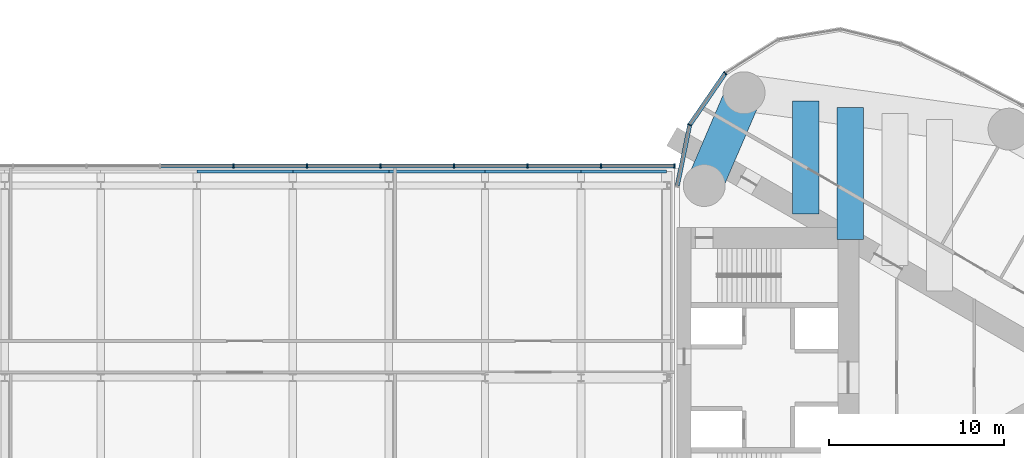
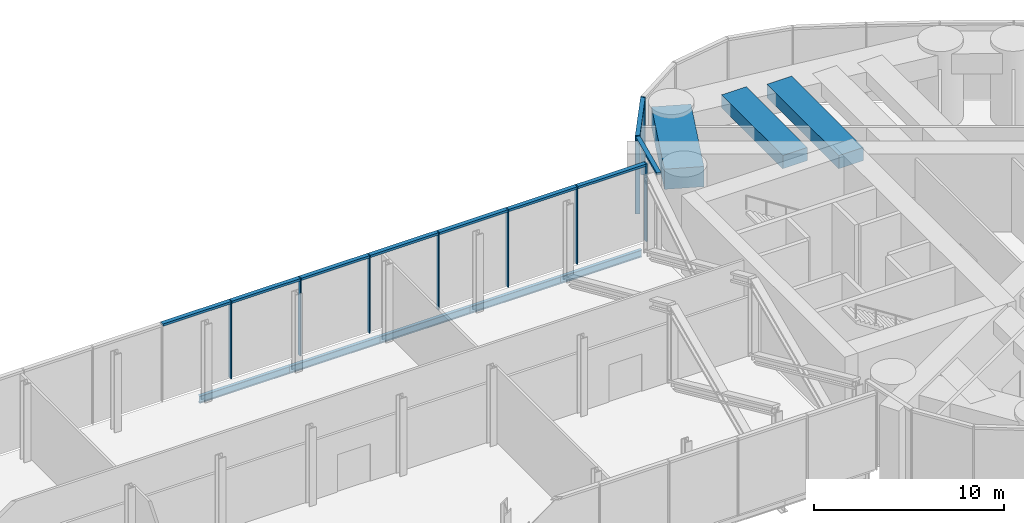
# One storey, part 11 of 19: 18 members, 8 beams, 2 elements without a shape of their own.
"""IFC4 building model written with IfcOpenShell, lengths in metres."""

from ifc_helpers import new_model, si_unit, direction, frame, origin, origin_2d, place, context, subcontext, project, spatial, rectangle, i_section, extrude, material, material_profile, profile_set, type_object, element, aggregate, save


model = new_model("IFC4")

# Units and contexts
model_context = context("Model", 3, precision=1e-05, world=origin(), true_north=direction((0.0, 1.0)))
body_context = subcontext(model_context, "Body", "Model", "MODEL_VIEW")
ifc_project = project(units=[si_unit("LENGTHUNIT", "METRE"), si_unit("AREAUNIT", "SQUARE_METRE"), si_unit("VOLUMEUNIT", "CUBIC_METRE"), si_unit("PLANEANGLEUNIT", "RADIAN"), si_unit("MASSUNIT", "GRAM", prefix="KILO")], contexts=[model_context])

# Site, building, storey
site_placement = place(None, origin())
site = spatial("IfcSite", under=ifc_project, at=site_placement, CompositionType="ELEMENT")
building_placement = place(site_placement, origin())
building = spatial("IfcBuilding", under=site, at=building_placement, Name="Lancet Gate Hotel", CompositionType="ELEMENT")
storey_placement = place(building_placement, frame((0.0, 0.0, 263.300048828125)))
storey = spatial("IfcBuildingStorey", under=building, at=storey_placement, Name="L69", CompositionType="ELEMENT", Elevation=263.300048828125)

# Curtain wall, members
ifc_material_1 = material(Name="Aluminium curtain wall", Category="aluminium")
curtain_wall_type = type_object("IfcCurtainWallType", Name="Lantern crown glazing", PredefinedType="USERDEFINED", material=ifc_material_1)
curtain_wall_1_placement = place(storey_placement, origin())
curtain_wall_1 = element("IfcCurtainWall", 1, at=curtain_wall_1_placement, inside=storey, type_object=curtain_wall_type, Name="T2 L69 curtain wall 1", ObjectType="LANTERN GLAZING", PredefinedType="USERDEFINED")
ifc_material_2 = material(Name="Aluminium mullion", Category="aluminium")
ifc_material_profile_1 = material_profile(ifc_material_2, rectangle(XDim=0.06494140625, YDim=0.25, at=origin_2d()), Name="MULLION 65x250")
ifc_profile_set_1 = profile_set([ifc_material_profile_1], Name="Aluminium mullion")
member_type_1 = type_object("IfcMemberType", Name="Aluminium mullion 65x250", PredefinedType="MULLION", material=ifc_profile_set_1)
member_1_placement = place(storey_placement, frame((30.25244140625, 17.42626953125, 0.0), z_axis=(0.0, 0.0, 1.0), x_axis=(-0.719809077627, -0.694172090886, 0.0)))
member_1 = element("IfcMember", 2, at=member_1_placement, type_object=member_type_1, Name="T2 L69 curtain wall 1 mullion 25", PredefinedType="MULLION", context=body_context, shape_type="SweptSolid", body=[
    extrude(rectangle(XDim=0.06494140625, YDim=0.25, at=origin_2d()), origin(), (0.0, 0.0, 1.0), 5.0),
])
member_2_placement = place(storey_placement, frame((28.216552734375, 14.467529296875, 0.0), z_axis=(0.0, 0.0, 1.0), x_axis=(-0.391042139098, -0.920372775265, 0.0)))
member_2 = element("IfcMember", 3, at=member_2_placement, type_object=member_type_1, Name="T2 L69 curtain wall 1 mullion 26", PredefinedType="MULLION", context=body_context, shape_type="SweptSolid", body=[
    extrude(rectangle(XDim=0.06494140625, YDim=0.25, at=origin_2d()), origin(), (0.0, 0.0, 1.0), 5.0),
])

curtain_wall_2_placement = place(storey_placement, origin())
curtain_wall_2 = element("IfcCurtainWall", 4, at=curtain_wall_2_placement, inside=storey, type_object=curtain_wall_type, Name="Bridge block L69 curtain wall N", ObjectType="LANTERN GLAZING", PredefinedType="USERDEFINED")
member_3_placement = place(storey_placement, frame((27.35009765625, 12.1201171875, 0.0), z_axis=(0.0, 0.0, 1.0), x_axis=(-1.0, 0.0, 0.0)))
member_3 = element("IfcMember", 5, at=member_3_placement, type_object=member_type_1, Name="Bridge block L69 curtain wall N mullion 1", PredefinedType="MULLION", context=body_context, shape_type="SweptSolid", body=[
    extrude(rectangle(XDim=0.06494140625, YDim=0.25, at=origin_2d()), origin(), (0.0, 0.0, 1.0), 5.0),
])
member_4_placement = place(storey_placement, frame((23.142333984375, 12.1201171875, 0.0), z_axis=(0.0, 0.0, 1.0), x_axis=(-1.0, 0.0, 0.0)))
member_4 = element("IfcMember", 6, at=member_4_placement, type_object=member_type_1, Name="Bridge block L69 curtain wall N mullion 2", PredefinedType="MULLION", context=body_context, shape_type="SweptSolid", body=[
    extrude(rectangle(XDim=0.06494140625, YDim=0.25, at=origin_2d()), origin(), (0.0, 0.0, 1.0), 5.0),
])
member_5_placement = place(storey_placement, frame((18.9345703125, 12.1201171875, 0.0), z_axis=(0.0, 0.0, 1.0), x_axis=(-1.0, 0.0, 0.0)))
member_5 = element("IfcMember", 7, at=member_5_placement, type_object=member_type_1, Name="Bridge block L69 curtain wall N mullion 3", PredefinedType="MULLION", context=body_context, shape_type="SweptSolid", body=[
    extrude(rectangle(XDim=0.06494140625, YDim=0.25, at=origin_2d()), origin(), (0.0, 0.0, 1.0), 5.0),
])
member_6_placement = place(storey_placement, frame((14.726806640625, 12.1201171875, 0.0), z_axis=(0.0, 0.0, 1.0), x_axis=(-1.0, 0.0, 0.0)))
member_6 = element("IfcMember", 8, at=member_6_placement, type_object=member_type_1, Name="Bridge block L69 curtain wall N mullion 4", PredefinedType="MULLION", context=body_context, shape_type="SweptSolid", body=[
    extrude(rectangle(XDim=0.06494140625, YDim=0.25, at=origin_2d()), origin(), (0.0, 0.0, 1.0), 5.0),
])
member_7_placement = place(storey_placement, frame((10.519287109375, 12.1201171875, 0.0), z_axis=(0.0, 0.0, 1.0), x_axis=(-1.0, 0.0, 0.0)))
member_7 = element("IfcMember", 9, at=member_7_placement, type_object=member_type_1, Name="Bridge block L69 curtain wall N mullion 5", PredefinedType="MULLION", context=body_context, shape_type="SweptSolid", body=[
    extrude(rectangle(XDim=0.06494140625, YDim=0.25, at=origin_2d()), origin(), (0.0, 0.0, 1.0), 5.0),
])
member_8_placement = place(storey_placement, frame((6.3115234375, 12.1201171875, 0.0), z_axis=(0.0, 0.0, 1.0), x_axis=(-1.0, 0.0, 0.0)))
member_8 = element("IfcMember", 10, at=member_8_placement, type_object=member_type_1, Name="Bridge block L69 curtain wall N mullion 6", PredefinedType="MULLION", context=body_context, shape_type="SweptSolid", body=[
    extrude(rectangle(XDim=0.06494140625, YDim=0.25, at=origin_2d()), origin(), (0.0, 0.0, 1.0), 5.0),
])
member_9_placement = place(storey_placement, frame((2.103759765625, 12.1201171875, 0.0), z_axis=(0.0, 0.0, 1.0), x_axis=(-1.0, 0.0, 0.0)))
member_9 = element("IfcMember", 11, at=member_9_placement, type_object=member_type_1, Name="Bridge block L69 curtain wall N mullion 7", PredefinedType="MULLION", context=body_context, shape_type="SweptSolid", body=[
    extrude(rectangle(XDim=0.06494140625, YDim=0.25, at=origin_2d()), origin(), (0.0, 0.0, 1.0), 5.0),
])

# Member
ifc_material_3 = material(Name="Aluminium transom", Category="aluminium")
ifc_material_profile_2 = material_profile(ifc_material_3, rectangle(XDim=0.25, YDim=0.14990234375, at=origin_2d()), Name="TRANSOM 250x150")
ifc_profile_set_2 = profile_set([ifc_material_profile_2], Name="Aluminium transom")
member_type_2 = type_object("IfcMemberType", Name="Aluminium transom 250x150", PredefinedType="USERDEFINED", material=ifc_profile_set_2)
member_10_placement = place(storey_placement, frame((30.234130859375, 17.399658203125, 4.925048828125), z_axis=(-0.566813768052, -0.82384595183, 0.0), x_axis=(0.82384595183, -0.566813768052, 0.0)))
member_10 = element("IfcMember", 12, at=member_10_placement, type_object=member_type_2, Name="T2 L69 curtain wall 1 transom 25", ObjectType="TRANSOM", PredefinedType="USERDEFINED", context=body_context, shape_type="SweptSolid", body=[
    extrude(rectangle(XDim=0.25, YDim=0.14990234375, at=origin_2d()), origin(), (0.0, 0.0, 1.0), 3.52685546875),
])

member_11_placement = place(storey_placement, frame((28.210205078125, 14.435546875, 4.925048828125), z_axis=(-0.19952323725, -0.979893095086, 0.0), x_axis=(0.979893095086, -0.19952323725, 0.0)))
member_11 = element("IfcMember", 13, at=member_11_placement, type_object=member_type_2, Name="T2 L69 curtain wall 1 transom 26", ObjectType="TRANSOM", PredefinedType="USERDEFINED", context=body_context, shape_type="SweptSolid", body=[
    extrude(rectangle(XDim=0.25, YDim=0.14990234375, at=origin_2d()), origin(), (0.0, 0.0, 1.0), 3.5263671875),
])

aggregate(curtain_wall_1, [member_1, member_2, member_10, member_11])

member_12_placement = place(storey_placement, frame((27.3173828125, 12.1201171875, 4.925048828125), z_axis=(-1.0, 0.0, 0.0), x_axis=(0.0, -1.0, 0.0)))
member_12 = element("IfcMember", 14, at=member_12_placement, type_object=member_type_2, Name="Bridge block L69 curtain wall N transom 1", ObjectType="TRANSOM", PredefinedType="USERDEFINED", context=body_context, shape_type="SweptSolid", body=[
    extrude(rectangle(XDim=0.25, YDim=0.14990234375, at=origin_2d()), origin(), (0.0, 0.0, 1.0), 4.142578125),
])

member_13_placement = place(storey_placement, frame((23.10986328125, 12.1201171875, 4.925048828125), z_axis=(-1.0, 0.0, 0.0), x_axis=(0.0, -1.0, 0.0)))
member_13 = element("IfcMember", 15, at=member_13_placement, type_object=member_type_2, Name="Bridge block L69 curtain wall N transom 2", ObjectType="TRANSOM", PredefinedType="USERDEFINED", context=body_context, shape_type="SweptSolid", body=[
    extrude(rectangle(XDim=0.25, YDim=0.14990234375, at=origin_2d()), origin(), (0.0, 0.0, 1.0), 4.142822265625),
])

member_14_placement = place(storey_placement, frame((18.902099609375, 12.1201171875, 4.925048828125), z_axis=(-1.0, 0.0, 0.0), x_axis=(0.0, -1.0, 0.0)))
member_14 = element("IfcMember", 16, at=member_14_placement, type_object=member_type_2, Name="Bridge block L69 curtain wall N transom 3", ObjectType="TRANSOM", PredefinedType="USERDEFINED", context=body_context, shape_type="SweptSolid", body=[
    extrude(rectangle(XDim=0.25, YDim=0.14990234375, at=origin_2d()), origin(), (0.0, 0.0, 1.0), 4.142578125),
])

member_15_placement = place(storey_placement, frame((14.6943359375, 12.1201171875, 4.925048828125), z_axis=(-1.0, 0.0, 0.0), x_axis=(0.0, -1.0, 0.0)))
member_15 = element("IfcMember", 17, at=member_15_placement, type_object=member_type_2, Name="Bridge block L69 curtain wall N transom 4", ObjectType="TRANSOM", PredefinedType="USERDEFINED", context=body_context, shape_type="SweptSolid", body=[
    extrude(rectangle(XDim=0.25, YDim=0.14990234375, at=origin_2d()), origin(), (0.0, 0.0, 1.0), 4.142578125),
])

member_16_placement = place(storey_placement, frame((10.48681640625, 12.1201171875, 4.925048828125), z_axis=(-1.0, 0.0, 0.0), x_axis=(0.0, -1.0, 0.0)))
member_16 = element("IfcMember", 18, at=member_16_placement, type_object=member_type_2, Name="Bridge block L69 curtain wall N transom 5", ObjectType="TRANSOM", PredefinedType="USERDEFINED", context=body_context, shape_type="SweptSolid", body=[
    extrude(rectangle(XDim=0.25, YDim=0.14990234375, at=origin_2d()), origin(), (0.0, 0.0, 1.0), 4.142822265625),
])

member_17_placement = place(storey_placement, frame((6.279052734375, 12.1201171875, 4.925048828125), z_axis=(-1.0, 0.0, 0.0), x_axis=(0.0, -1.0, 0.0)))
member_17 = element("IfcMember", 19, at=member_17_placement, type_object=member_type_2, Name="Bridge block L69 curtain wall N transom 6", ObjectType="TRANSOM", PredefinedType="USERDEFINED", context=body_context, shape_type="SweptSolid", body=[
    extrude(rectangle(XDim=0.25, YDim=0.14990234375, at=origin_2d()), origin(), (0.0, 0.0, 1.0), 4.142822265625),
])

member_18_placement = place(storey_placement, frame((2.0712890625, 12.1201171875, 4.925048828125), z_axis=(-1.0, 0.0, 0.0), x_axis=(0.0, -1.0, 0.0)))
member_18 = element("IfcMember", 20, at=member_18_placement, type_object=member_type_2, Name="Bridge block L69 curtain wall N transom 7", ObjectType="TRANSOM", PredefinedType="USERDEFINED", context=body_context, shape_type="SweptSolid", body=[
    extrude(rectangle(XDim=0.25, YDim=0.14990234375, at=origin_2d()), origin(), (0.0, 0.0, 1.0), 4.142578125),
])

aggregate(curtain_wall_2, [member_3, member_4, member_5, member_6, member_7, member_8, member_9, member_12, member_13, member_14, member_15, member_16, member_17, member_18])

# Beams
ifc_material_4 = material(Name="Steel S355", Category="steel")
ifc_material_profile_3 = material_profile(ifc_material_4, i_section(OverallWidth=0.19140625, OverallDepth=0.4599609375, WebThickness=0.010009765625, FlangeThickness=0.01611328125, FilletRadius=0.01025390625, at=origin_2d()), Name="UKB 457x191x82")
ifc_profile_set_3 = profile_set([ifc_material_profile_3], Name="Steel S355")
beam_type_1 = type_object("IfcBeamType", Name="Block edge beam UKB 457x191x82", PredefinedType="SPANDREL", material=ifc_profile_set_3)
for number, where, z_axis, x_axis, name in (
    (21, (0.0, 11.800048828125, -0.429931640625), (1.0, 0.0, 0.0), (0.0, 1.0, 0.0), "Block edge beam N 5-6 L69"),
    (22, (5.5, 11.800048828125, -0.429931640625), (1.0, 0.0, 0.0), (0.0, 1.0, 0.0), "Block edge beam N 6-7 L69"),
    (23, (11.0, 11.800048828125, -0.429931640625), (1.0, 0.0, 0.0), (0.0, 1.0, 0.0), "Block edge beam N 7-8 L69"),
    (24, (16.5, 11.800048828125, -0.429931640625), (1.0, 0.0, 0.0), (0.0, 1.0, 0.0), "Block edge beam N 8-9 L69"),
):
    element("IfcBeam", number, at=place(storey_placement, frame(where, z_axis=z_axis, x_axis=x_axis)), inside=storey, type_object=beam_type_1, Name=name, PredefinedType="SPANDREL", context=body_context, shape_type="SweptSolid", body=[
        extrude(i_section(OverallWidth=0.19140625, OverallDepth=0.4599609375, WebThickness=0.010009765625, FlangeThickness=0.01611328125, FilletRadius=0.01025390625, at=origin_2d()), origin(), (0.0, 0.0, 1.0), 5.5),
    ])
beam_1_placement = place(storey_placement, frame((22.0, 11.800048828125, -0.429931640625), z_axis=(1.0, 0.0, 0.0), x_axis=(0.0, 1.0, 0.0)))
element("IfcBeam", 25, at=beam_1_placement, inside=storey, type_object=beam_type_1, Name="Block edge beam N 9-10 L69", PredefinedType="SPANDREL", context=body_context, shape_type="SweptSolid", body=[
    extrude(i_section(OverallWidth=0.19140625, OverallDepth=0.4599609375, WebThickness=0.010009765625, FlangeThickness=0.01611328125, FilletRadius=0.01025390625, at=origin_2d()), origin(), (0.0, 0.0, 1.0), 4.89990234375),
])
ifc_material_5 = material(Name="Concrete C50/60", Category="concrete")
ifc_material_profile_4 = material_profile(ifc_material_5, rectangle(XDim=2.10009765625, YDim=1.300048828125, at=origin_2d()), Name="RC 2100x1300")
ifc_profile_set_4 = profile_set([ifc_material_profile_4], Name="Concrete C50/60")
beam_type_2 = type_object("IfcBeamType", Name="Edge beam RC 2100x1300", PredefinedType="SPANDREL", material=ifc_profile_set_4)
beam_2_placement = place(storey_placement, frame((29.050048828125, 11.0, 4.099853515625), z_axis=(0.394250694824, 0.91900293233, 0.0), x_axis=(-0.91900293233, 0.394250694824, 0.0)))
element("IfcBeam", 26, at=beam_2_placement, inside=storey, type_object=beam_type_2, Name="T2 edge beam EB1 L69", PredefinedType="SPANDREL", context=body_context, shape_type="SweptSolid", body=[
    extrude(rectangle(XDim=2.10009765625, YDim=1.300048828125, at=origin_2d()), origin(), (0.0, 0.0, 1.0), 5.77880859375),
])
ifc_material_6 = material(Name="Concrete C50/60", Category="concrete")
ifc_material_profile_5 = material_profile(ifc_material_6, rectangle(XDim=1.5, YDim=0.85009765625, at=origin_2d()), Name="RC 1500x850")
ifc_profile_set_5 = profile_set([ifc_material_profile_5], Name="Concrete C50/60")
beam_type_3 = type_object("IfcBeamType", Name="Floor beam RC 1500x850", PredefinedType="BEAM", material=ifc_profile_set_5)
beam_3_placement = place(storey_placement, frame((34.859619140625, 9.377685546875, 4.324951171875), z_axis=(0.0, 1.0, 0.0), x_axis=(-1.0, 0.0, 0.0)))
element("IfcBeam", 27, at=beam_3_placement, inside=storey, type_object=beam_type_3, Name="T2 floor beam F02N L69", PredefinedType="BEAM", context=body_context, shape_type="SweptSolid", body=[
    extrude(rectangle(XDim=1.5, YDim=0.85009765625, at=origin_2d()), origin(), (0.0, 0.0, 1.0), 6.44775390625),
])
beam_4_placement = place(storey_placement, frame((37.412841796875, 7.903564453125, 4.324951171875), z_axis=(0.0, 1.0, 0.0), x_axis=(-1.0, 0.0, 0.0)))
element("IfcBeam", 28, at=beam_4_placement, inside=storey, type_object=beam_type_3, Name="T2 floor beam F04N L69", PredefinedType="BEAM", context=body_context, shape_type="SweptSolid", body=[
    extrude(rectangle(XDim=1.5, YDim=0.85009765625, at=origin_2d()), origin(), (0.0, 0.0, 1.0), 7.57080078125),
])

save(model, "model.ifc")
